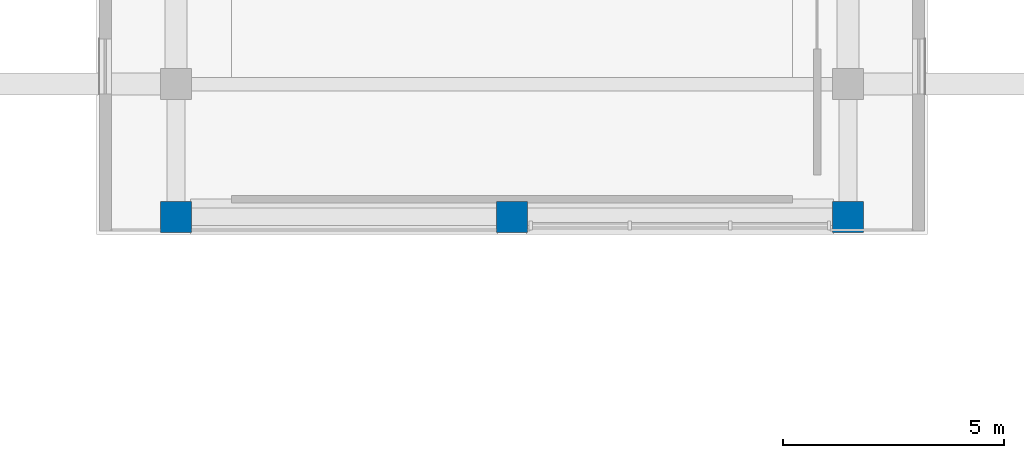
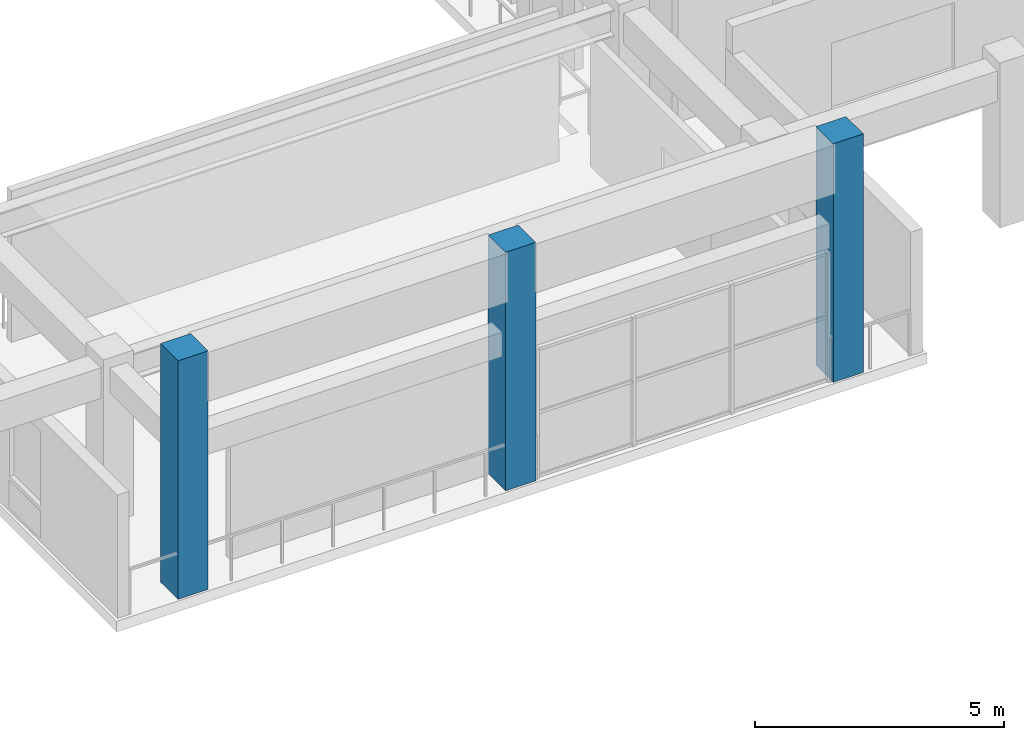
# One storey, part 1 of 29: 3 columns.
"""IFC4 building model written with IfcOpenShell, lengths in metres."""

from ifc_helpers import new_model, si_unit, direction, frame, origin, origin_2d, place, context, subcontext, project, spatial, rectangle, extrude, material, material_profile, profile_set, type_object, element, save


model = new_model("IFC4")

# Units and contexts
model_context = context("Model", 3, precision=1e-05, world=origin(), true_north=direction((0.0, 1.0)))
body_context = subcontext(model_context, "Body", "Model", "MODEL_VIEW")
ifc_project = project(units=[si_unit("LENGTHUNIT", "METRE"), si_unit("AREAUNIT", "SQUARE_METRE"), si_unit("VOLUMEUNIT", "CUBIC_METRE"), si_unit("PLANEANGLEUNIT", "RADIAN"), si_unit("MASSUNIT", "GRAM", prefix="KILO")], contexts=[model_context])

# Site, building, storey
site_placement = place(None, origin())
site = spatial("IfcSite", under=ifc_project, at=site_placement, CompositionType="ELEMENT")
building_placement = place(site_placement, origin())
building = spatial("IfcBuilding", under=site, at=building_placement, Name="Saryqyr Civic Hall", CompositionType="ELEMENT")
storey_placement = place(building_placement, frame((0.0, 0.0, 25.35009765625)))
storey = spatial("IfcBuildingStorey", under=building, at=storey_placement, Name="L06", CompositionType="ELEMENT", Elevation=25.35009765625)

# Columns
ifc_material = material(Name="Concrete C40/50", Category="concrete")
ifc_material_profile = material_profile(ifc_material, rectangle(XDim=0.699951171875, YDim=0.699951171875, at=origin_2d()), Name="RC 700x700")
ifc_profile_set = profile_set([ifc_material_profile], Name="Concrete C40/50")
column_type = type_object("IfcColumnType", Name="STR-COL-RC700-C40", PredefinedType="COLUMN", material=ifc_profile_set)
for number, where, z_axis, x_axis, name in (
    (1, (49.39990234375, 67.800048828125, 0.0), (0.0, 0.0, 1.0), (1.0, 0.0, 0.0), "Column V1-COL-S3P07-L06"),
    (2, (57.0, 67.800048828125, 0.0), (0.0, 0.0, 1.0), (1.0, 0.0, 0.0), "Column V1-COL-S3P08-L06"),
    (3, (64.60009765625, 67.800048828125, 0.0), (0.0, 0.0, 1.0), (1.0, 0.0, 0.0), "Column V1-COL-S3P09-L06"),
):
    element("IfcColumn", number, at=place(storey_placement, frame(where, z_axis=z_axis, x_axis=x_axis)), inside=storey, type_object=column_type, Name=name, PredefinedType="COLUMN", context=body_context, shape_type="SweptSolid", body=[
        extrude(rectangle(XDim=0.699951171875, YDim=0.699951171875, at=origin_2d()), origin(), (0.0, 0.0, 1.0), 5.849853515625),
    ])

save(model, "model.ifc")
